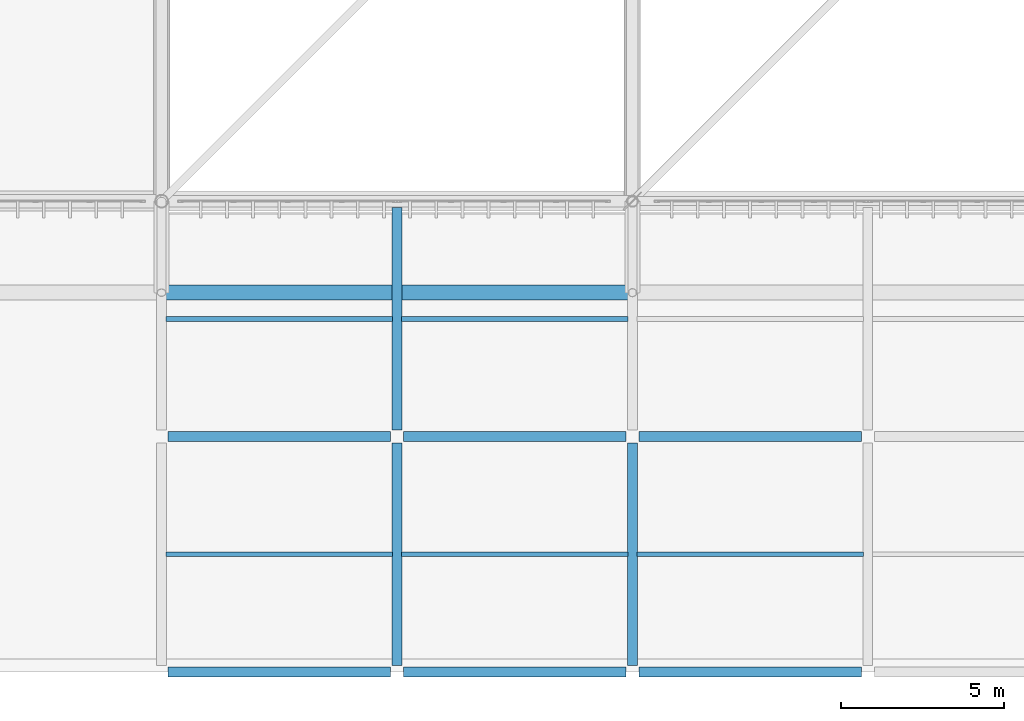
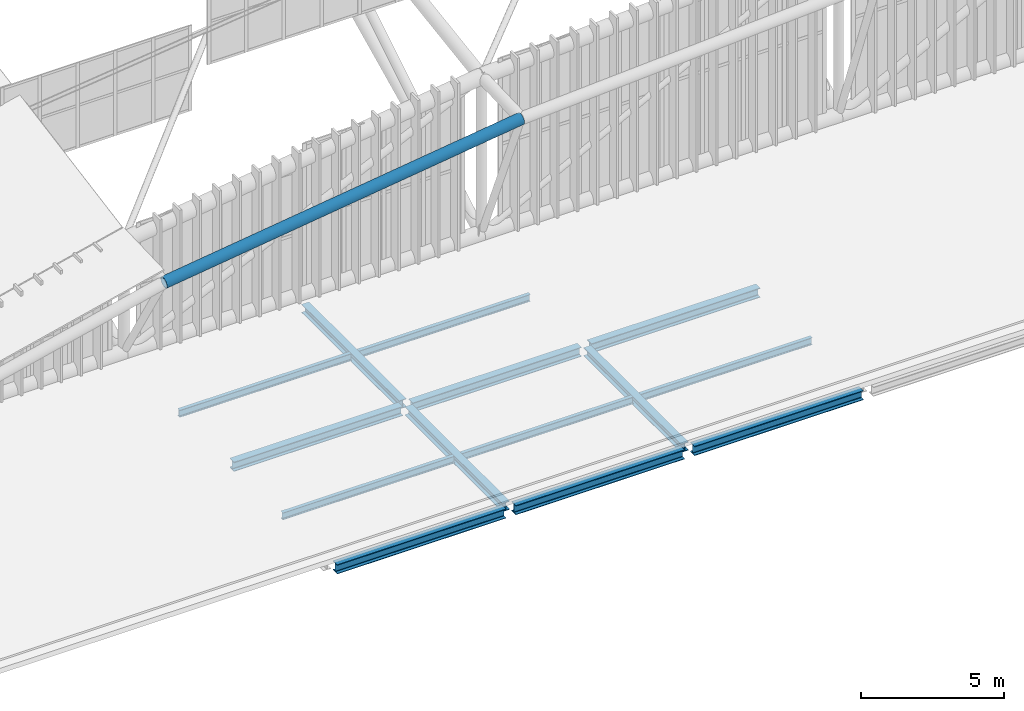
# One storey, part 18 of 397: 15 beams.
"""IFC4 building model written with IfcOpenShell, lengths in metres."""

from ifc_helpers import new_model, si_unit, direction, frame, origin, origin_2d, place, context, subcontext, project, spatial, hollow_circle, i_section, extrude, material, material_profile, profile_set, type_object, element, save


model = new_model("IFC4")

# Units and contexts
model_context = context("Model", 3, precision=1e-05, world=origin(), true_north=direction((0.0, 1.0)))
body_context = subcontext(model_context, "Body", "Model", "MODEL_VIEW")
ifc_project = project(units=[si_unit("LENGTHUNIT", "METRE"), si_unit("AREAUNIT", "SQUARE_METRE"), si_unit("VOLUMEUNIT", "CUBIC_METRE"), si_unit("PLANEANGLEUNIT", "RADIAN"), si_unit("MASSUNIT", "GRAM", prefix="KILO")], contexts=[model_context])

# Site, building, storey
site_placement = place(None, origin())
site = spatial("IfcSite", under=ifc_project, at=site_placement, CompositionType="ELEMENT")
building_placement = place(site_placement, origin())
building = spatial("IfcBuilding", under=site, at=building_placement, Name="Qandorah Velis Arena", CompositionType="ELEMENT")
storey_placement = place(building_placement, frame((0.0, 0.0, 27.5)))
storey = spatial("IfcBuildingStorey", under=building, at=storey_placement, Name="RF", CompositionType="ELEMENT", Elevation=27.5)

# Beams
ifc_material = material(Name="Steel S355", Category="steel")
ifc_material_profile_1 = material_profile(ifc_material, i_section(OverallWidth=0.300048828125, OverallDepth=0.360107421875, WebThickness=0.012451171875, FlangeThickness=0.0224609375, FilletRadius=0.027099609375, at=origin_2d()), Name="HEB 360")
ifc_profile_set_1 = profile_set([ifc_material_profile_1], Name="Steel S355")
beam_type_1 = type_object("IfcBeamType", Name="STR-BM-HEB360", PredefinedType="BEAM", material=ifc_profile_set_1)
for number, where, z_axis, x_axis, name in (
    (1, (36.0, 0.199951171875, -0.39990234375), (0.0, 1.0, 0.0), (-1.0, 0.0, 0.0), "Primary floor girder RF Y-091"),
    (2, (36.0, 7.39990234375, -0.39990234375), (0.0, 1.0, 0.0), (-1.0, 0.0, 0.0), "Primary floor girder RF Y-092"),
    (3, (43.199951171875, 0.199951171875, -0.39990234375), (0.0, 1.0, 0.0), (-1.0, 0.0, 0.0), "Primary floor girder RF Y-095"),
):
    element("IfcBeam", number, at=place(storey_placement, frame(where, z_axis=z_axis, x_axis=x_axis)), inside=storey, type_object=beam_type_1, Name=name, PredefinedType="BEAM", context=body_context, shape_type="SweptSolid", body=[
        extrude(i_section(OverallWidth=0.300048828125, OverallDepth=0.360107421875, WebThickness=0.012451171875, FlangeThickness=0.0224609375, FilletRadius=0.027099609375, at=origin_2d()), origin(), (0.0, 0.0, 1.0), 6.800048828125),
    ])
ifc_material_profile_2 = material_profile(ifc_material, i_section(OverallWidth=0.300048828125, OverallDepth=0.39990234375, WebThickness=0.013427734375, FlangeThickness=0.02392578125, FilletRadius=0.027099609375, at=origin_2d()), Name="HEB 400")
ifc_profile_set_2 = profile_set([ifc_material_profile_2], Name="Steel S355")
beam_type_2 = type_object("IfcBeamType", Name="STR-BM-HEB400", PredefinedType="BEAM", material=ifc_profile_set_2)
for number, where, z_axis, x_axis, name in (
    (4, (29.0, 0.0, -0.419921875), (1.0, 0.0, 0.0), (0.0, 1.0, 0.0), "Primary floor girder RF X-001"),
    (5, (36.199951171875, 0.0, -0.419921875), (1.0, 0.0, 0.0), (0.0, 1.0, 0.0), "Primary floor girder RF X-002"),
    (6, (43.39990234375, 0.0, -0.419921875), (1.0, 0.0, 0.0), (0.0, 1.0, 0.0), "Primary floor girder RF X-003"),
    (7, (29.0, 7.199951171875, -0.419921875), (1.0, 0.0, 0.0), (0.0, 1.0, 0.0), "Primary floor girder RF X-010"),
    (8, (36.199951171875, 7.199951171875, -0.419921875), (1.0, 0.0, 0.0), (0.0, 1.0, 0.0), "Primary floor girder RF X-011"),
    (9, (43.39990234375, 7.199951171875, -0.419921875), (1.0, 0.0, 0.0), (0.0, 1.0, 0.0), "Primary floor girder RF X-012"),
):
    element("IfcBeam", number, at=place(storey_placement, frame(where, z_axis=z_axis, x_axis=x_axis)), inside=storey, type_object=beam_type_2, Name=name, PredefinedType="BEAM", context=body_context, shape_type="SweptSolid", body=[
        extrude(i_section(OverallWidth=0.300048828125, OverallDepth=0.39990234375, WebThickness=0.013427734375, FlangeThickness=0.02392578125, FilletRadius=0.027099609375, at=origin_2d()), origin(), (0.0, 0.0, 1.0), 6.800048828125),
    ])
ifc_material_profile_3 = material_profile(ifc_material, i_section(OverallWidth=0.14990234375, OverallDepth=0.300048828125, WebThickness=0.007080078125, FlangeThickness=0.0107421875, FilletRadius=0.014892578125, at=origin_2d()), Name="IPE 300")
ifc_profile_set_3 = profile_set([ifc_material_profile_3], Name="Steel S355")
beam_type_3 = type_object("IfcBeamType", Name="STR-JST-IPE300", PredefinedType="JOIST", material=ifc_profile_set_3)
for number, where, z_axis, x_axis, name in (
    (10, (28.93505859375, 3.60009765625, -0.3701171875), (1.0, 0.0, 0.0), (0.0, 1.0, 0.0), "Secondary floor joist RF-013"),
    (11, (28.93505859375, 10.800048828125, -0.3701171875), (1.0, 0.0, 0.0), (0.0, 1.0, 0.0), "Secondary floor joist RF-014"),
    (12, (36.135009765625, 3.60009765625, -0.3701171875), (1.0, 0.0, 0.0), (0.0, 1.0, 0.0), "Secondary floor joist RF-017"),
    (13, (36.135009765625, 10.800048828125, -0.3701171875), (1.0, 0.0, 0.0), (0.0, 1.0, 0.0), "Secondary floor joist RF-018"),
    (14, (43.3349609375, 3.60009765625, -0.3701171875), (1.0, 0.0, 0.0), (0.0, 1.0, 0.0), "Secondary floor joist RF-021"),
):
    element("IfcBeam", number, at=place(storey_placement, frame(where, z_axis=z_axis, x_axis=x_axis)), inside=storey, type_object=beam_type_3, Name=name, PredefinedType="JOIST", context=body_context, shape_type="SweptSolid", body=[
        extrude(i_section(OverallWidth=0.14990234375, OverallDepth=0.300048828125, WebThickness=0.007080078125, FlangeThickness=0.0107421875, FilletRadius=0.014892578125, at=origin_2d()), origin(), (0.0, 0.0, 1.0), 6.929931640625),
    ])
ifc_material_profile_4 = material_profile(ifc_material, hollow_circle(Radius=0.228515625, WallThickness=0.01611328125, at=origin_2d()), Name="CHS 457x16")
ifc_profile_set_4 = profile_set([ifc_material_profile_4], Name="Steel S355")
beam_type_4 = type_object("IfcBeamType", Name="STR-SFC-CHS457X16", PredefinedType="USERDEFINED", material=ifc_profile_set_4)
beam_placement = place(storey_placement, frame((28.800048828125, 11.60009765625, 4.751953125), z_axis=(0.990980253134, 0.0, 0.134007976993), x_axis=(0.0, 1.0, 0.0)))
element("IfcBeam", 15, at=beam_placement, inside=storey, type_object=beam_type_4, Name="Space frame eave fascia ring S-1", ObjectType="ROOF TRUSS", PredefinedType="USERDEFINED", context=body_context, shape_type="SweptSolid", body=[
    extrude(hollow_circle(Radius=0.228515625, WallThickness=0.01611328125, at=origin_2d()), origin(), (0.0, 0.0, 1.0), 14.531005859375),
])

save(model, "model.ifc")
